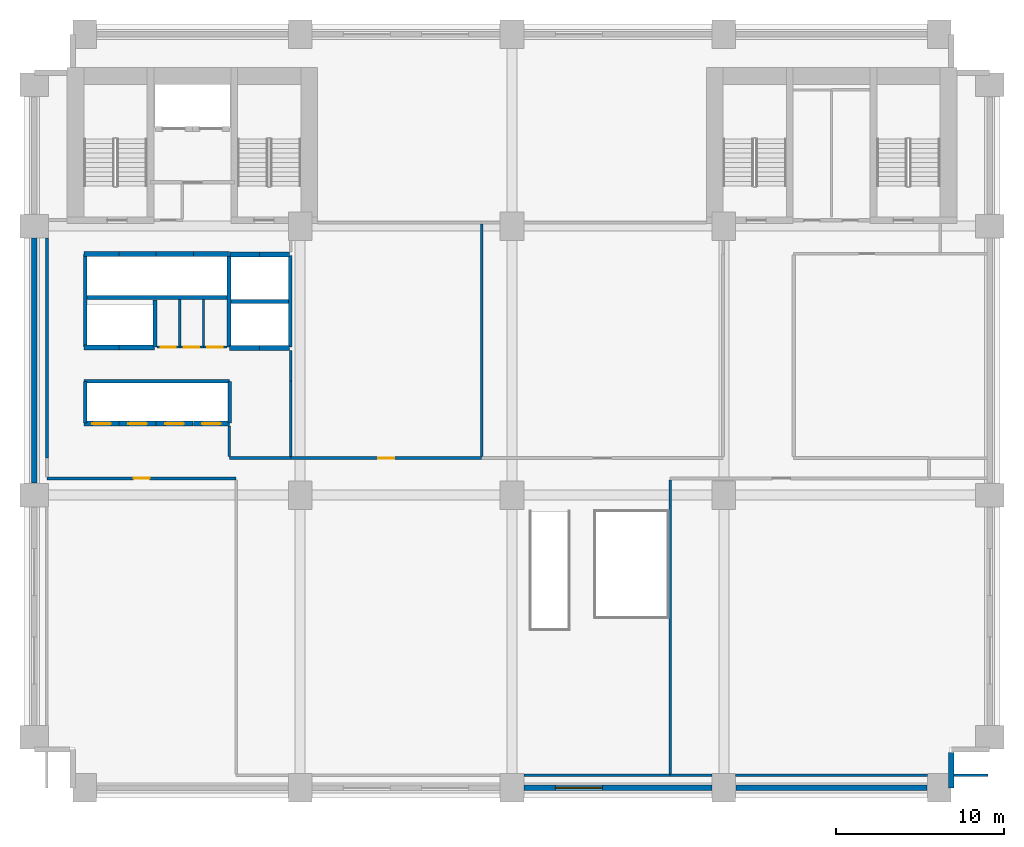
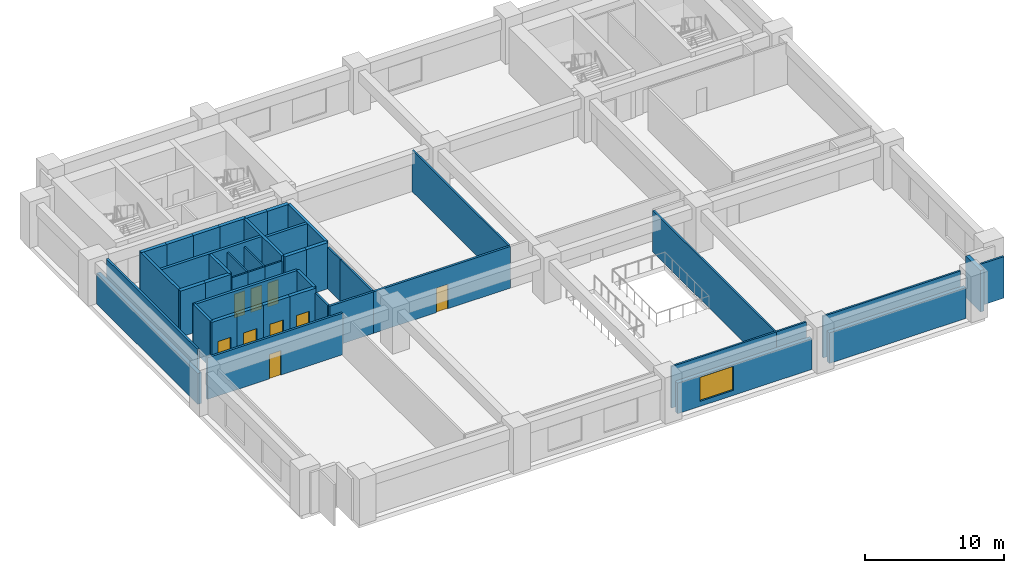
# One storey, part 2 of 7: 45 walls, 9 doors, 1 window, 10 openings.
"""IFC4 building model written with IfcOpenShell, lengths in metres."""

from ifc_helpers import new_model, si_unit, direction, frame, frame_2d, origin, place, context, subcontext, project, spatial, rectangle, extrude, material, layer, layer_set, type_object, element, fill, save


model = new_model("IFC4")

# Units and contexts
model_context = context("Model", 3, precision=1e-05, world=origin(), true_north=direction((0.0, 1.0)))
body_context = subcontext(model_context, "Body", "Model", "MODEL_VIEW")
ifc_project = project(units=[si_unit("LENGTHUNIT", "METRE"), si_unit("AREAUNIT", "SQUARE_METRE"), si_unit("VOLUMEUNIT", "CUBIC_METRE"), si_unit("PLANEANGLEUNIT", "RADIAN"), si_unit("MASSUNIT", "GRAM", prefix="KILO")], contexts=[model_context])

# Site, building, storey
site_placement = place(None, origin())
site = spatial("IfcSite", under=ifc_project, at=site_placement, CompositionType="ELEMENT")
building_placement = place(site_placement, origin())
building = spatial("IfcBuilding", under=site, at=building_placement, Name="Sulina Concourse Tower", CompositionType="ELEMENT")
storey_placement = place(building_placement, frame((0.0, 0.0, 13.5)))
storey = spatial("IfcBuildingStorey", under=building, at=storey_placement, Name="L03", CompositionType="ELEMENT", Elevation=13.5)

# Walls
ifc_material_1 = material(Name="Concrete C50/60", Category="concrete")
ifc_layer_1 = layer(ifc_material_1, 0.219970703125)
ifc_layer_set_1 = layer_set([ifc_layer_1], Name="Concrete C50/60")
wall_type_1 = type_object("IfcWallType", Name="Core Lift Hoistway Divider Wall 220mm", PredefinedType="SOLIDWALL", material=ifc_layer_set_1)
wall_1_placement = place(storey_placement, frame((3.550048828125, 29.75, 0.0), z_axis=(0.0, 0.0, 1.0), x_axis=(1.0, 0.0, 0.0)))
element("IfcWall", 1, at=wall_1_placement, inside=storey, type_object=wall_type_1, Name="L03 shaft divider wall HW-LP3-S", PredefinedType="SOLIDWALL", context=body_context, shape_type="SweptSolid", body=[
    extrude(rectangle(XDim=8.64990234375, YDim=0.219970703125, at=frame_2d((4.324951171875, 0.0))), origin(), (0.0, 0.0, 1.0), 4.050048828125),
])
wall_2_placement = place(storey_placement, frame((3.6298828125, 26.800048828125, 0.0), z_axis=(0.0, 0.0, 1.0), x_axis=(0.0, 1.0, 0.0)))
element("IfcWall", 2, at=wall_2_placement, inside=storey, type_object=wall_type_1, Name="L03 shaft divider wall HW-LP3-W", PredefinedType="SOLIDWALL", context=body_context, shape_type="SweptSolid", body=[
    extrude(rectangle(XDim=5.550048828125, YDim=0.219970703125, at=frame_2d((2.77490234375, 0.0))), origin(), (0.0, 0.0, 1.0), 4.050048828125),
])
wall_3_placement = place(storey_placement, frame((7.780029296875, 26.800048828125, 0.0), z_axis=(0.0, 0.0, 1.0), x_axis=(0.0, 1.0, 0.0)))
element("IfcWall", 3, at=wall_3_placement, inside=storey, type_object=wall_type_1, Name="L03 shaft divider wall HW-EXP-E", PredefinedType="SOLIDWALL", context=body_context, shape_type="SweptSolid", body=[
    extrude(rectangle(XDim=2.800048828125, YDim=0.219970703125, at=frame_2d((1.39990234375, 0.0))), origin(), (0.0, 0.0, 1.0), 4.050048828125),
])
for number, where, z_axis, x_axis, name in (
    (4, (12.179931640625, 26.800048828125, 0.0), (0.0, 0.0, 1.0), (0.0, 1.0, 0.0), "L03 shaft divider wall HW-LP2-W"),
    (5, (15.820068359375, 26.800048828125, 0.0), (0.0, 0.0, 1.0), (0.0, 1.0, 0.0), "L03 shaft divider wall HW-LP2-E"),
):
    element("IfcWall", number, at=place(storey_placement, frame(where, z_axis=z_axis, x_axis=x_axis)), inside=storey, type_object=wall_type_1, Name=name, PredefinedType="SOLIDWALL", context=body_context, shape_type="SweptSolid", body=[
        extrude(rectangle(XDim=5.449951171875, YDim=0.219970703125, at=frame_2d((2.72509765625, 0.0))), origin(), (0.0, 0.0, 1.0), 4.050048828125),
    ])
wall_4_placement = place(storey_placement, frame((12.300048828125, 29.52001953125, 0.0), z_axis=(0.0, 0.0, 1.0), x_axis=(1.0, 0.0, 0.0)))
element("IfcWall", 6, at=wall_4_placement, inside=storey, type_object=wall_type_1, Name="L03 shaft divider wall HW-LP2-M", PredefinedType="SOLIDWALL", context=body_context, shape_type="SweptSolid", body=[
    extrude(rectangle(XDim=3.39990234375, YDim=0.219970703125, at=frame_2d((1.699951171875, 0.0))), origin(), (0.0, 0.0, 1.0), 4.050048828125),
])
wall_5_placement = place(storey_placement, frame((3.550048828125, 24.780029296875, 0.0), z_axis=(0.0, 0.0, 1.0), x_axis=(1.0, 0.0, 0.0)))
element("IfcWall", 7, at=wall_5_placement, inside=storey, type_object=wall_type_1, Name="L03 shaft divider wall HW-LP1-N", PredefinedType="SOLIDWALL", context=body_context, shape_type="SweptSolid", body=[
    extrude(rectangle(XDim=8.64990234375, YDim=0.219970703125, at=frame_2d((4.324951171875, 0.0))), origin(), (0.0, 0.0, 1.0), 4.050048828125),
])
for number, where, z_axis, x_axis, name in (
    (8, (3.6298828125, 22.300048828125, 0.0), (0.0, 0.0, 1.0), (0.0, 1.0, 0.0), "L03 shaft divider wall HW-LP1-W"),
    (9, (12.219970703125, 22.300048828125, 0.0), (0.0, 0.0, 1.0), (0.0, 1.0, 0.0), "L03 shaft divider wall HW-LP1-E"),
):
    element("IfcWall", number, at=place(storey_placement, frame(where, z_axis=z_axis, x_axis=x_axis)), inside=storey, type_object=wall_type_1, Name=name, PredefinedType="SOLIDWALL", context=body_context, shape_type="SweptSolid", body=[
        extrude(rectangle(XDim=2.449951171875, YDim=0.219970703125, at=frame_2d((1.22509765625, 0.0))), origin(), (0.0, 0.0, 1.0), 4.050048828125),
    ])

# Wall, opening, door
ifc_material_2 = material(Name="Concrete C50/60", Category="concrete")
ifc_layer_2 = layer(ifc_material_2, 0.300048828125)
ifc_layer_set_2 = layer_set([ifc_layer_2], Name="Concrete C50/60")
wall_type_2 = type_object("IfcWallType", Name="Core Lift Hoistway Wall 300mm", PredefinedType="SOLIDWALL", material=ifc_layer_set_2)
wall_6_placement = place(storey_placement, frame((5.64990234375, 22.25, 0.0), z_axis=(0.0, 0.0, 1.0), x_axis=(-1.0, 0.0, 0.0)))
wall_6 = element("IfcWall", 10, at=wall_6_placement, inside=storey, type_object=wall_type_2, Name="L03 hoistway enclosure wall LP-01", PredefinedType="SOLIDWALL", context=body_context, shape_type="SweptSolid", body=[
    extrude(rectangle(XDim=2.099853515625, YDim=0.300048828125, at=frame_2d((1.0498046875, 0.0))), origin(), (0.0, 0.0, 1.0), 4.050048828125),
])
opening_1_placement = place(wall_6_placement, frame((0.5, 0.0, 0.0)))
opening_1 = element("IfcOpeningElement", 11, at=opening_1_placement, cuts=wall_6, Name="Opening LD-01", PredefinedType="OPENING", context=body_context, shape_type="SweptSolid", body=[
    extrude(rectangle(XDim=1.10009765625, YDim=2.199951171875, at=frame_2d((0.550048828125, 1.10009765625))), frame((0.0, 0.159912109375, 0.0), z_axis=(0.0, -1.0, 0.0), x_axis=(1.0, 0.0, 0.0)), (0.0, 0.0, 1.0), 0.320068359375),
])
ifc_material_3 = material(Name="Stainless steel lift landing door", Category="steel")
ifc_layer_3 = layer(ifc_material_3, 0.050048828125)
ifc_layer_set_3 = layer_set([ifc_layer_3], Name="Stainless steel lift landing door")
door_type_1 = type_object("IfcDoorType", Name="Passenger Lift Sliding Landing Door 1100x2200", OperationType="SLIDING_TO_LEFT", PredefinedType="DOOR", material=ifc_layer_set_3)
door_1_placement = place(opening_1_placement, origin())
door_1 = element("IfcDoor", 12, at=door_1_placement, inside=storey, type_object=door_type_1, Name="L03 lift landing sliding door LP-01", OperationType="SLIDING_TO_LEFT", OverallHeight=2.199951171875, OverallWidth=1.10009765625, PredefinedType="DOOR", context=body_context, shape_type="SweptSolid", body=[
    extrude(rectangle(XDim=1.10009765625, YDim=2.199951171875, at=frame_2d((0.550048828125, 1.10009765625))), frame((0.0, 0.02490234375, 0.0), z_axis=(0.0, -1.0, 0.0), x_axis=(1.0, 0.0, 0.0)), (0.0, 0.0, 1.0), 0.050048828125),
])
fill(opening_1, door_1)

wall_7_placement = place(storey_placement, frame((7.85009765625, 22.25, 0.0), z_axis=(0.0, 0.0, 1.0), x_axis=(-1.0, 0.0, 0.0)))
wall_7 = element("IfcWall", 13, at=wall_7_placement, inside=storey, type_object=wall_type_2, Name="L03 hoistway enclosure wall LP-02", PredefinedType="SOLIDWALL", context=body_context, shape_type="SweptSolid", body=[
    extrude(rectangle(XDim=2.2001953125, YDim=0.300048828125, at=frame_2d((1.10009765625, 0.0))), origin(), (0.0, 0.0, 1.0), 4.050048828125),
])
opening_2_placement = place(wall_7_placement, frame((0.550048828125, 0.0, 0.0)))
opening_2 = element("IfcOpeningElement", 14, at=opening_2_placement, cuts=wall_7, Name="Opening LD-01", PredefinedType="OPENING", context=body_context, shape_type="SweptSolid", body=[
    extrude(rectangle(XDim=1.10009765625, YDim=2.199951171875, at=frame_2d((0.550048828125, 1.10009765625))), frame((0.0, 0.159912109375, 0.0), z_axis=(0.0, -1.0, 0.0), x_axis=(1.0, 0.0, 0.0)), (0.0, 0.0, 1.0), 0.320068359375),
])
door_2_placement = place(opening_2_placement, origin())
door_2 = element("IfcDoor", 15, at=door_2_placement, inside=storey, type_object=door_type_1, Name="L03 lift landing sliding door LP-02", OperationType="SLIDING_TO_RIGHT", OverallHeight=2.199951171875, OverallWidth=1.10009765625, PredefinedType="DOOR", context=body_context, shape_type="SweptSolid", body=[
    extrude(rectangle(XDim=1.10009765625, YDim=2.199951171875, at=frame_2d((0.550048828125, 1.10009765625))), frame((0.0, 0.02490234375, 0.0), z_axis=(0.0, -1.0, 0.0), x_axis=(1.0, 0.0, 0.0)), (0.0, 0.0, 1.0), 0.050048828125),
])
fill(opening_2, door_2)

wall_8_placement = place(storey_placement, frame((10.050048828125, 22.25, 0.0), z_axis=(0.0, 0.0, 1.0), x_axis=(-1.0, 0.0, 0.0)))
wall_8 = element("IfcWall", 16, at=wall_8_placement, inside=storey, type_object=wall_type_2, Name="L03 hoistway enclosure wall LP-03", PredefinedType="SOLIDWALL", context=body_context, shape_type="SweptSolid", body=[
    extrude(rectangle(XDim=2.199951171875, YDim=0.300048828125, at=frame_2d((1.10009765625, 0.0))), origin(), (0.0, 0.0, 1.0), 4.050048828125),
])
opening_3_placement = place(wall_8_placement, frame((0.550048828125, 0.0, 0.0)))
opening_3 = element("IfcOpeningElement", 17, at=opening_3_placement, cuts=wall_8, Name="Opening LD-01", PredefinedType="OPENING", context=body_context, shape_type="SweptSolid", body=[
    extrude(rectangle(XDim=1.10009765625, YDim=2.199951171875, at=frame_2d((0.550048828125, 1.10009765625))), frame((0.0, 0.159912109375, 0.0), z_axis=(0.0, -1.0, 0.0), x_axis=(1.0, 0.0, 0.0)), (0.0, 0.0, 1.0), 0.320068359375),
])
door_3_placement = place(opening_3_placement, origin())
door_3 = element("IfcDoor", 18, at=door_3_placement, inside=storey, type_object=door_type_1, Name="L03 lift landing sliding door LP-03", OperationType="SLIDING_TO_LEFT", OverallHeight=2.199951171875, OverallWidth=1.10009765625, PredefinedType="DOOR", context=body_context, shape_type="SweptSolid", body=[
    extrude(rectangle(XDim=1.10009765625, YDim=2.199951171875, at=frame_2d((0.550048828125, 1.10009765625))), frame((0.0, 0.02490234375, 0.0), z_axis=(0.0, -1.0, 0.0), x_axis=(1.0, 0.0, 0.0)), (0.0, 0.0, 1.0), 0.050048828125),
])
fill(opening_3, door_3)

wall_9_placement = place(storey_placement, frame((12.199951171875, 22.25, 0.0), z_axis=(0.0, 0.0, 1.0), x_axis=(-1.0, 0.0, 0.0)))
wall_9 = element("IfcWall", 19, at=wall_9_placement, inside=storey, type_object=wall_type_2, Name="L03 hoistway enclosure wall LP-04", PredefinedType="SOLIDWALL", context=body_context, shape_type="SweptSolid", body=[
    extrude(rectangle(XDim=2.14990234375, YDim=0.300048828125, at=frame_2d((1.074951171875, 0.0))), origin(), (0.0, 0.0, 1.0), 4.050048828125),
])
opening_4_placement = place(wall_9_placement, frame((0.52490234375, 0.0, 0.0)))
opening_4 = element("IfcOpeningElement", 20, at=opening_4_placement, cuts=wall_9, Name="Opening LD-01", PredefinedType="OPENING", context=body_context, shape_type="SweptSolid", body=[
    extrude(rectangle(XDim=1.10009765625, YDim=2.199951171875, at=frame_2d((0.550048828125, 1.10009765625))), frame((0.0, 0.159912109375, 0.0), z_axis=(0.0, -1.0, 0.0), x_axis=(1.0, 0.0, 0.0)), (0.0, 0.0, 1.0), 0.320068359375),
])
door_4_placement = place(opening_4_placement, origin())
door_4 = element("IfcDoor", 21, at=door_4_placement, inside=storey, type_object=door_type_1, Name="L03 lift landing sliding door LP-04", OperationType="SLIDING_TO_RIGHT", OverallHeight=2.199951171875, OverallWidth=1.10009765625, PredefinedType="DOOR", context=body_context, shape_type="SweptSolid", body=[
    extrude(rectangle(XDim=1.10009765625, YDim=2.199951171875, at=frame_2d((0.550048828125, 1.10009765625))), frame((0.0, 0.02490234375, 0.0), z_axis=(0.0, -1.0, 0.0), x_axis=(1.0, 0.0, 0.0)), (0.0, 0.0, 1.0), 0.050048828125),
])
fill(opening_4, door_4)

# Walls
for number, where, z_axis, x_axis, name in (
    (22, (14.0, 26.75, 0.0), (0.0, 0.0, 1.0), (-1.0, 0.0, 0.0), "L03 hoistway enclosure wall LP-05"),
    (23, (15.780029296875, 26.75, 0.0), (0.0, 0.0, 1.0), (-1.0, 0.0, 0.0), "L03 hoistway enclosure wall LP-06"),
    (24, (12.219970703125, 32.320068359375, 0.0), (0.0, 0.0, 1.0), (1.0, 0.0, 0.0), "L03 hoistway enclosure wall LP-07"),
    (25, (14.0, 32.320068359375, 0.0), (0.0, 0.0, 1.0), (1.0, 0.0, 0.0), "L03 hoistway enclosure wall LP-08"),
):
    element("IfcWall", number, at=place(storey_placement, frame(where, z_axis=z_axis, x_axis=x_axis)), inside=storey, type_object=wall_type_2, Name=name, PredefinedType="SOLIDWALL", context=body_context, shape_type="SweptSolid", body=[
        extrude(rectangle(XDim=1.780029296875, YDim=0.300048828125, at=frame_2d((0.89013671875, 0.0))), origin(), (0.0, 0.0, 1.0), 4.050048828125),
    ])
wall_10_placement = place(storey_placement, frame((3.550048828125, 32.35009765625, 0.0), z_axis=(0.0, 0.0, 1.0), x_axis=(1.0, 0.0, 0.0)))
element("IfcWall", 26, at=wall_10_placement, inside=storey, type_object=wall_type_2, Name="L03 hoistway enclosure wall LP-09", PredefinedType="SOLIDWALL", context=body_context, shape_type="SweptSolid", body=[
    extrude(rectangle(XDim=2.099853515625, YDim=0.300048828125, at=frame_2d((1.0498046875, 0.0))), origin(), (0.0, 0.0, 1.0), 4.050048828125),
])
wall_11_placement = place(storey_placement, frame((5.64990234375, 32.35009765625, 0.0), z_axis=(0.0, 0.0, 1.0), x_axis=(1.0, 0.0, 0.0)))
element("IfcWall", 27, at=wall_11_placement, inside=storey, type_object=wall_type_2, Name="L03 hoistway enclosure wall LP-10", PredefinedType="SOLIDWALL", context=body_context, shape_type="SweptSolid", body=[
    extrude(rectangle(XDim=2.2001953125, YDim=0.300048828125, at=frame_2d((1.10009765625, 0.0))), origin(), (0.0, 0.0, 1.0), 4.050048828125),
])
wall_12_placement = place(storey_placement, frame((7.85009765625, 32.35009765625, 0.0), z_axis=(0.0, 0.0, 1.0), x_axis=(1.0, 0.0, 0.0)))
element("IfcWall", 28, at=wall_12_placement, inside=storey, type_object=wall_type_2, Name="L03 hoistway enclosure wall LP-11", PredefinedType="SOLIDWALL", context=body_context, shape_type="SweptSolid", body=[
    extrude(rectangle(XDim=2.199951171875, YDim=0.300048828125, at=frame_2d((1.10009765625, 0.0))), origin(), (0.0, 0.0, 1.0), 4.050048828125),
])
wall_13_placement = place(storey_placement, frame((10.050048828125, 32.35009765625, 0.0), z_axis=(0.0, 0.0, 1.0), x_axis=(1.0, 0.0, 0.0)))
element("IfcWall", 29, at=wall_13_placement, inside=storey, type_object=wall_type_2, Name="L03 hoistway enclosure wall LP-12", PredefinedType="SOLIDWALL", context=body_context, shape_type="SweptSolid", body=[
    extrude(rectangle(XDim=2.14990234375, YDim=0.300048828125, at=frame_2d((1.074951171875, 0.0))), origin(), (0.0, 0.0, 1.0), 4.050048828125),
])
wall_14_placement = place(storey_placement, frame((5.64990234375, 26.780029296875, 0.0), z_axis=(0.0, 0.0, 1.0), x_axis=(-1.0, 0.0, 0.0)))
element("IfcWall", 30, at=wall_14_placement, inside=storey, type_object=wall_type_2, Name="L03 hoistway enclosure wall EXP-1", PredefinedType="SOLIDWALL", context=body_context, shape_type="SweptSolid", body=[
    extrude(rectangle(XDim=2.099853515625, YDim=0.300048828125, at=frame_2d((1.0498046875, 0.0))), origin(), (0.0, 0.0, 1.0), 4.050048828125),
])
wall_15_placement = place(storey_placement, frame((7.75, 26.780029296875, 0.0), z_axis=(0.0, 0.0, 1.0), x_axis=(-1.0, 0.0, 0.0)))
element("IfcWall", 31, at=wall_15_placement, inside=storey, type_object=wall_type_2, Name="L03 hoistway enclosure wall EXP-2", PredefinedType="SOLIDWALL", context=body_context, shape_type="SweptSolid", body=[
    extrude(rectangle(XDim=2.10009765625, YDim=0.300048828125, at=frame_2d((1.050048828125, 0.0))), origin(), (0.0, 0.0, 1.0), 4.050048828125),
])
ifc_material_4 = material(Name="Gypsum board on steel stud", Category="steel")
ifc_layer_4 = layer(ifc_material_4, 0.14990234375)
ifc_layer_set_4 = layer_set([ifc_layer_4], Name="Gypsum board on steel stud")
wall_type_3 = type_object("IfcWallType", Name="Inter-Tenancy Acoustic Partition 150mm", PredefinedType="PARTITIONING", material=ifc_layer_set_4)
wall_16_placement = place(storey_placement, frame((29.699951171875, 1.35009765625, 0.0), z_axis=(0.0, 0.0, 1.0), x_axis=(1.0, 0.0, 0.0)))
element("IfcWall", 32, at=wall_16_placement, inside=storey, type_object=wall_type_3, Name="L03 interior partition 003", PredefinedType="PARTITIONING", context=body_context, shape_type="SweptSolid", body=[
    extrude(rectangle(XDim=8.699951171875, YDim=0.14990234375, at=frame_2d((4.35009765625, 0.0))), origin(), (0.0, 0.0, 1.0), 3.64990234375),
])
wall_17_placement = place(storey_placement, frame((38.39990234375, 1.35009765625, 0.0), z_axis=(0.0, 0.0, 1.0), x_axis=(1.0, 0.0, 0.0)))
element("IfcWall", 33, at=wall_17_placement, inside=storey, type_object=wall_type_3, Name="L03 interior partition 004", PredefinedType="PARTITIONING", context=body_context, shape_type="SweptSolid", body=[
    extrude(rectangle(XDim=2.5, YDim=0.14990234375, at=frame_2d((1.25, 0.0))), origin(), (0.0, 0.0, 1.0), 3.64990234375),
])
wall_18_placement = place(storey_placement, frame((42.300048828125, 1.35009765625, 0.0), z_axis=(0.0, 0.0, 1.0), x_axis=(1.0, 0.0, 0.0)))
element("IfcWall", 34, at=wall_18_placement, inside=storey, type_object=wall_type_3, Name="L03 interior partition 005", PredefinedType="PARTITIONING", context=body_context, shape_type="SweptSolid", body=[
    extrude(rectangle(XDim=11.39990234375, YDim=0.14990234375, at=frame_2d((5.699951171875, 0.0))), origin(), (0.0, 0.0, 1.0), 3.64990234375),
])
wall_19_placement = place(storey_placement, frame((55.280029296875, 1.35009765625, 0.0), z_axis=(0.0, 0.0, 1.0), x_axis=(1.0, 0.0, 0.0)))
element("IfcWall", 35, at=wall_19_placement, inside=storey, type_object=wall_type_3, Name="L03 interior partition 006", PredefinedType="PARTITIONING", context=body_context, shape_type="SweptSolid", body=[
    extrude(rectangle(XDim=2.02001953125, YDim=0.14990234375, at=frame_2d((1.010009765625, 0.0))), origin(), (0.0, 0.0, 1.0), 3.64990234375),
])
wall_20_placement = place(storey_placement, frame((12.199951171875, 20.2900390625, 0.0), z_axis=(0.0, 0.0, 1.0), x_axis=(0.0, 1.0, 0.0)))
element("IfcWall", 36, at=wall_20_placement, inside=storey, type_object=wall_type_3, Name="L03 interior partition 034", PredefinedType="PARTITIONING", context=body_context, shape_type="SweptSolid", body=[
    extrude(rectangle(XDim=1.81005859375, YDim=0.14990234375, at=frame_2d((0.905029296875, 0.0))), origin(), (0.0, 0.0, 1.0), 3.64990234375),
])
wall_21_placement = place(storey_placement, frame((15.85009765625, 20.2900390625, 0.0), z_axis=(0.0, 0.0, 1.0), x_axis=(0.0, 1.0, 0.0)))
element("IfcWall", 37, at=wall_21_placement, inside=storey, type_object=wall_type_3, Name="L03 interior partition 036", PredefinedType="PARTITIONING", context=body_context, shape_type="SweptSolid", body=[
    extrude(rectangle(XDim=4.510009765625, YDim=0.14990234375, at=frame_2d((2.2548828125, 0.0))), origin(), (0.0, 0.0, 1.0), 3.64990234375),
])
wall_22_placement = place(storey_placement, frame((15.85009765625, 24.800048828125, 0.0), z_axis=(0.0, 0.0, 1.0), x_axis=(0.0, 1.0, 0.0)))
element("IfcWall", 38, at=wall_22_placement, inside=storey, type_object=wall_type_3, Name="L03 interior partition 037", PredefinedType="PARTITIONING", context=body_context, shape_type="SweptSolid", body=[
    extrude(rectangle(XDim=1.800048828125, YDim=0.14990234375, at=frame_2d((0.89990234375, 0.0))), origin(), (0.0, 0.0, 1.0), 3.64990234375),
])
wall_23_placement = place(storey_placement, frame((27.199951171875, 20.2900390625, 0.0), z_axis=(0.0, 0.0, 1.0), x_axis=(0.0, 1.0, 0.0)))
element("IfcWall", 39, at=wall_23_placement, inside=storey, type_object=wall_type_3, Name="L03 interior partition 039", PredefinedType="PARTITIONING", context=body_context, shape_type="SweptSolid", body=[
    extrude(rectangle(XDim=13.8349609375, YDim=0.14990234375, at=frame_2d((6.91748046875, 0.0))), origin(), (0.0, 0.0, 1.0), 3.64990234375),
])
wall_24_placement = place(storey_placement, frame((38.39990234375, 1.425048828125, 0.0), z_axis=(0.0, 0.0, 1.0), x_axis=(0.0, 1.0, 0.0)))
element("IfcWall", 40, at=wall_24_placement, inside=storey, type_object=wall_type_3, Name="L03 interior partition 040", PredefinedType="PARTITIONING", context=body_context, shape_type="SweptSolid", body=[
    extrude(rectangle(XDim=17.48486328125, YDim=0.14990234375, at=frame_2d((8.742431640625, 0.0))), origin(), (0.0, 0.0, 1.0), 3.64990234375),
])

# Wall, opening, window
ifc_material_5 = material(Name="Precast concrete C50/60", Category="concrete")
ifc_layer_5 = layer(ifc_material_5, 0.320068359375)
ifc_layer_set_5 = layer_set([ifc_layer_5], Name="Precast concrete C50/60")
wall_type_4 = type_object("IfcWallType", Name="Lower Precast Masonry-Frame Facade Wall 320mm", PredefinedType="SOLIDWALL", material=ifc_layer_set_5)
wall_25_placement = place(storey_placement, frame((40.8798828125, 0.60009765625, 0.0), z_axis=(0.0, 0.0, 1.0), x_axis=(-1.0, 0.0, 0.0)))
wall_25 = element("IfcWall", 41, at=wall_25_placement, inside=storey, type_object=wall_type_4, Name="L03 exterior precast wall S3", PredefinedType="SOLIDWALL", context=body_context, shape_type="SweptSolid", body=[
    extrude(rectangle(XDim=11.159912109375, YDim=0.320068359375, at=frame_2d((5.580078125, 0.0))), origin(), (0.0, 0.0, 1.0), 2.699951171875),
])
opening_5_placement = place(wall_25_placement, frame((6.506591796875, 0.0, 0.449951171875)))
opening_5 = element("IfcOpeningElement", 42, at=opening_5_placement, cuts=wall_25, Name="Opening WN-83", PredefinedType="OPENING", context=body_context, shape_type="SweptSolid", body=[
    extrude(rectangle(XDim=2.800048828125, YDim=2.10009765625, at=frame_2d((1.39990234375, 1.050048828125))), frame((0.0, 0.169921875, 0.0), z_axis=(0.0, -1.0, 0.0), x_axis=(1.0, 0.0, 0.0)), (0.0, 0.0, 1.0), 0.340087890625),
])
ifc_material_6 = material(Name="Low-E solar double glazing in bronze aluminium", Category="aluminium")
window_type = type_object("IfcWindowType", Name="Station Podium Clerestory Window 2800x2100", PartitioningType="TRIPLE_PANEL_VERTICAL", PredefinedType="WINDOW", material=ifc_material_6)
window_placement = place(opening_5_placement, origin())
window = element("IfcWindow", 43, at=window_placement, inside=storey, type_object=window_type, Name="L03 punched window S3-1", OverallHeight=2.10009765625, OverallWidth=2.800048828125, PartitioningType="SINGLE_PANEL", PredefinedType="WINDOW", context=body_context, shape_type="SweptSolid", body=[
    extrude(rectangle(XDim=2.800048828125, YDim=2.10009765625, at=frame_2d((1.39990234375, 1.050048828125))), frame((0.0, 0.030029296875, 0.0), z_axis=(0.0, -1.0, 0.0), x_axis=(1.0, 0.0, 0.0)), (0.0, 0.0, 1.0), 0.06005859375),
])
fill(opening_5, window)

# Walls
wall_26_placement = place(storey_placement, frame((53.679931640625, 0.60009765625, 0.0), z_axis=(0.0, 0.0, 1.0), x_axis=(-1.0, 0.0, 0.0)))
element("IfcWall", 44, at=wall_26_placement, inside=storey, type_object=wall_type_4, Name="L03 exterior precast wall S4", PredefinedType="SOLIDWALL", context=body_context, shape_type="SweptSolid", body=[
    extrude(rectangle(XDim=11.35986328125, YDim=0.320068359375, at=frame_2d((5.679931640625, 0.0))), origin(), (0.0, 0.0, 1.0), 2.699951171875),
])
wall_27_placement = place(storey_placement, frame((0.60009765625, 18.719970703125, 0.0), z_axis=(0.0, 0.0, 1.0), x_axis=(0.0, 1.0, 0.0)))
element("IfcWall", 45, at=wall_27_placement, inside=storey, type_object=wall_type_4, Name="L03 exterior precast wall W2", PredefinedType="SOLIDWALL", context=body_context, shape_type="SweptSolid", body=[
    extrude(rectangle(XDim=14.56005859375, YDim=0.320068359375, at=frame_2d((7.280029296875, 0.0))), origin(), (0.0, 0.0, 1.0), 2.699951171875),
])
wall_28_placement = place(storey_placement, frame((55.1201171875, 2.715087890625, 0.0), z_axis=(0.0, 0.0, 1.0), x_axis=(0.0, -1.0, 0.0)))
element("IfcWall", 46, at=wall_28_placement, inside=storey, type_object=wall_type_4, Name="L03 exterior precast wall CSE2", PredefinedType="SOLIDWALL", context=body_context, shape_type="SweptSolid", body=[
    extrude(rectangle(XDim=2.114990234375, YDim=0.320068359375, at=frame_2d((1.0576171875, 0.0))), origin(), (0.0, 0.0, 1.0), 3.64990234375),
])

# Wall, opening, door
ifc_material_7 = material(Name="Gypsum board on steel stud", Category="steel")
ifc_layer_6 = layer(ifc_material_7, 0.179931640625)
ifc_layer_set_6 = layer_set([ifc_layer_6], Name="Gypsum board on steel stud")
wall_type_5 = type_object("IfcWallType", Name="Protected Corridor & Riser Partition 180mm", PredefinedType="PARTITIONING", material=ifc_layer_set_6)
wall_29_placement = place(storey_placement, frame((1.35009765625, 19.0, 0.0), z_axis=(0.0, 0.0, 1.0), x_axis=(1.0, 0.0, 0.0)))
wall_29 = element("IfcWall", 47, at=wall_29_placement, inside=storey, type_object=wall_type_5, Name="L03 interior partition 007", PredefinedType="PARTITIONING", context=body_context, shape_type="SweptSolid", body=[
    extrude(rectangle(XDim=11.25, YDim=0.179931640625, at=frame_2d((5.625, 0.0))), origin(), (0.0, 0.0, 1.0), 3.64990234375),
])
opening_6_placement = place(wall_29_placement, frame((5.14990234375, 0.0, 0.0)))
opening_6 = element("IfcOpeningElement", 48, at=opening_6_placement, cuts=wall_29, Name="Opening DR-19", PredefinedType="OPENING", context=body_context, shape_type="SweptSolid", body=[
    extrude(rectangle(XDim=0.949951171875, YDim=2.14990234375, at=frame_2d((0.47509765625, 1.074951171875))), frame((0.0, 0.099853515625, 0.0), z_axis=(0.0, -1.0, 0.0), x_axis=(1.0, 0.0, 0.0)), (0.0, 0.0, 1.0), 0.199951171875),
])
ifc_material_8 = material(Name="Oak-veneered acoustic timber leaf", Category="wood")
ifc_layer_7 = layer(ifc_material_8, 0.050048828125)
ifc_layer_set_7 = layer_set([ifc_layer_7], Name="Oak-veneered acoustic timber leaf")
door_type_2 = type_object("IfcDoorType", Name="Cellular Office & Meeting Door 950x2150", OperationType="NOTDEFINED", PredefinedType="DOOR", material=ifc_layer_set_7)
door_5_placement = place(opening_6_placement, origin())
door_5 = element("IfcDoor", 49, at=door_5_placement, inside=storey, type_object=door_type_2, Name="L03 interior door L03-RET-W1", OperationType="SINGLE_SWING_RIGHT", OverallHeight=2.14990234375, OverallWidth=0.949951171875, PredefinedType="DOOR", context=body_context, shape_type="SweptSolid", body=[
    extrude(rectangle(XDim=0.949951171875, YDim=2.14990234375, at=frame_2d((0.47509765625, 1.074951171875))), frame((0.0, 0.02490234375, 0.0), z_axis=(0.0, -1.0, 0.0), x_axis=(1.0, 0.0, 0.0)), (0.0, 0.0, 1.0), 0.050048828125),
])
fill(opening_6, door_5)

# Wall
wall_30_placement = place(storey_placement, frame((12.199951171875, 20.199951171875, 0.0), z_axis=(0.0, 0.0, 1.0), x_axis=(1.0, 0.0, 0.0)))
element("IfcWall", 50, at=wall_30_placement, inside=storey, type_object=wall_type_5, Name="L03 interior partition 010", PredefinedType="PARTITIONING", context=body_context, shape_type="SweptSolid", body=[
    extrude(rectangle(XDim=3.650146484375, YDim=0.179931640625, at=frame_2d((1.8251953125, 0.0))), origin(), (0.0, 0.0, 1.0), 3.64990234375),
])

# Wall, opening, door
wall_31_placement = place(storey_placement, frame((15.85009765625, 20.199951171875, 0.0), z_axis=(0.0, 0.0, 1.0), x_axis=(1.0, 0.0, 0.0)))
wall_31 = element("IfcWall", 51, at=wall_31_placement, inside=storey, type_object=wall_type_5, Name="L03 interior partition 011", PredefinedType="PARTITIONING", context=body_context, shape_type="SweptSolid", body=[
    extrude(rectangle(XDim=11.349853515625, YDim=0.179931640625, at=frame_2d((5.6748046875, 0.0))), origin(), (0.0, 0.0, 1.0), 3.64990234375),
])
opening_7_placement = place(wall_31_placement, frame((5.199951171875, 0.0, 0.0)))
opening_7 = element("IfcOpeningElement", 52, at=opening_7_placement, cuts=wall_31, Name="Opening DR-19", PredefinedType="OPENING", context=body_context, shape_type="SweptSolid", body=[
    extrude(rectangle(XDim=0.949951171875, YDim=2.14990234375, at=frame_2d((0.47509765625, 1.074951171875))), frame((0.0, 0.099853515625, 0.0), z_axis=(0.0, -1.0, 0.0), x_axis=(1.0, 0.0, 0.0)), (0.0, 0.0, 1.0), 0.199951171875),
])
door_6_placement = place(opening_7_placement, origin())
door_6 = element("IfcDoor", 53, at=door_6_placement, inside=storey, type_object=door_type_2, Name="L03 interior door L03-OFF-ST1", OperationType="SINGLE_SWING_RIGHT", OverallHeight=2.14990234375, OverallWidth=0.949951171875, PredefinedType="DOOR", context=body_context, shape_type="SweptSolid", body=[
    extrude(rectangle(XDim=0.949951171875, YDim=2.14990234375, at=frame_2d((0.47509765625, 1.074951171875))), frame((0.0, 0.02490234375, 0.0), z_axis=(0.0, -1.0, 0.0), x_axis=(1.0, 0.0, 0.0)), (0.0, 0.0, 1.0), 0.050048828125),
])
fill(opening_7, door_6)

# Wall
wall_32_placement = place(storey_placement, frame((1.35009765625, 20.199951171875, 0.0), z_axis=(0.0, 0.0, 1.0), x_axis=(0.0, 1.0, 0.0)))
element("IfcWall", 54, at=wall_32_placement, inside=storey, type_object=wall_type_5, Name="L03 interior partition 030", PredefinedType="PARTITIONING", context=body_context, shape_type="SweptSolid", body=[
    extrude(rectangle(XDim=13.10009765625, YDim=0.179931640625, at=frame_2d((6.550048828125, 0.0))), origin(), (0.0, 0.0, 1.0), 3.64990234375),
])

# Wall, opening, door
ifc_material_9 = material(Name="Gypsum board on steel stud", Category="steel")
ifc_layer_8 = layer(ifc_material_9, 0.125)
ifc_layer_set_8 = layer_set([ifc_layer_8], Name="Gypsum board on steel stud")
wall_type_6 = type_object("IfcWallType", Name="Wet-Area Moisture-Resistant Partition 125mm", PredefinedType="PARTITIONING", material=ifc_layer_set_8)
wall_33_placement = place(storey_placement, frame((7.889892578125, 26.800048828125, 0.0), z_axis=(0.0, 0.0, 1.0), x_axis=(1.0, 0.0, 0.0)))
wall_33 = element("IfcWall", 55, at=wall_33_placement, inside=storey, type_object=wall_type_6, Name="L03 interior partition 015", PredefinedType="PARTITIONING", context=body_context, shape_type="SweptSolid", body=[
    extrude(rectangle(XDim=1.360107421875, YDim=0.125, at=frame_2d((0.68017578125, 0.0))), origin(), (0.0, 0.0, 1.0), 3.64990234375),
])
opening_8_placement = place(wall_33_placement, frame((0.22998046875, 0.0, 0.0)))
opening_8 = element("IfcOpeningElement", 56, at=opening_8_placement, cuts=wall_33, Name="Opening DR-21", PredefinedType="OPENING", context=body_context, shape_type="SweptSolid", body=[
    extrude(rectangle(XDim=0.89990234375, YDim=2.10009765625, at=frame_2d((0.449951171875, 1.050048828125))), frame((0.0, 0.072509765625, 0.0), z_axis=(0.0, -1.0, 0.0), x_axis=(1.0, 0.0, 0.0)), (0.0, 0.0, 1.0), 0.14501953125),
])
ifc_material_10 = material(Name="Oak-veneered fire door leaf")
ifc_layer_9 = layer(ifc_material_10, 0.050048828125)
ifc_layer_set_9 = layer_set([ifc_layer_9], Name="Oak-veneered fire door leaf")
door_type_3 = type_object("IfcDoorType", Name="Restroom & Service Door 900x2100", OperationType="NOTDEFINED", PredefinedType="DOOR", material=ifc_layer_set_9)
door_7_placement = place(opening_8_placement, origin())
door_7 = element("IfcDoor", 57, at=door_7_placement, inside=storey, type_object=door_type_3, Name="L03 interior door L03-WC-M", OperationType="SINGLE_SWING_LEFT", OverallHeight=2.10009765625, OverallWidth=0.89990234375, PredefinedType="DOOR", context=body_context, shape_type="SweptSolid", body=[
    extrude(rectangle(XDim=0.89990234375, YDim=2.10009765625, at=frame_2d((0.449951171875, 1.050048828125))), frame((0.0, 0.02490234375, 0.0), z_axis=(0.0, -1.0, 0.0), x_axis=(1.0, 0.0, 0.0)), (0.0, 0.0, 1.0), 0.050048828125),
])
fill(opening_8, door_7)

wall_34_placement = place(storey_placement, frame((9.25, 26.800048828125, 0.0), z_axis=(0.0, 0.0, 1.0), x_axis=(1.0, 0.0, 0.0)))
wall_34 = element("IfcWall", 58, at=wall_34_placement, inside=storey, type_object=wall_type_6, Name="L03 interior partition 016", PredefinedType="PARTITIONING", context=body_context, shape_type="SweptSolid", body=[
    extrude(rectangle(XDim=1.39990234375, YDim=0.125, at=frame_2d((0.699951171875, 0.0))), origin(), (0.0, 0.0, 1.0), 3.64990234375),
])
opening_9_placement = place(wall_34_placement, frame((0.25, 0.0, 0.0)))
opening_9 = element("IfcOpeningElement", 59, at=opening_9_placement, cuts=wall_34, Name="Opening DR-21", PredefinedType="OPENING", context=body_context, shape_type="SweptSolid", body=[
    extrude(rectangle(XDim=0.89990234375, YDim=2.10009765625, at=frame_2d((0.449951171875, 1.050048828125))), frame((0.0, 0.072509765625, 0.0), z_axis=(0.0, -1.0, 0.0), x_axis=(1.0, 0.0, 0.0)), (0.0, 0.0, 1.0), 0.14501953125),
])
door_8_placement = place(opening_9_placement, origin())
door_8 = element("IfcDoor", 60, at=door_8_placement, inside=storey, type_object=door_type_3, Name="L03 interior door L03-WC-F", OperationType="SINGLE_SWING_RIGHT", OverallHeight=2.10009765625, OverallWidth=0.89990234375, PredefinedType="DOOR", context=body_context, shape_type="SweptSolid", body=[
    extrude(rectangle(XDim=0.89990234375, YDim=2.10009765625, at=frame_2d((0.449951171875, 1.050048828125))), frame((0.0, 0.02490234375, 0.0), z_axis=(0.0, -1.0, 0.0), x_axis=(1.0, 0.0, 0.0)), (0.0, 0.0, 1.0), 0.050048828125),
])
fill(opening_9, door_8)

wall_35_placement = place(storey_placement, frame((10.64990234375, 26.800048828125, 0.0), z_axis=(0.0, 0.0, 1.0), x_axis=(1.0, 0.0, 0.0)))
wall_35 = element("IfcWall", 61, at=wall_35_placement, inside=storey, type_object=wall_type_6, Name="L03 interior partition 017", PredefinedType="PARTITIONING", context=body_context, shape_type="SweptSolid", body=[
    extrude(rectangle(XDim=1.400146484375, YDim=0.125, at=frame_2d((0.7001953125, 0.0))), origin(), (0.0, 0.0, 1.0), 3.64990234375),
])
opening_10_placement = place(wall_35_placement, frame((0.239990234375, 0.0, 0.0)))
opening_10 = element("IfcOpeningElement", 62, at=opening_10_placement, cuts=wall_35, Name="Opening DR-61", PredefinedType="OPENING", context=body_context, shape_type="SweptSolid", body=[
    extrude(rectangle(XDim=0.919921875, YDim=2.10009765625, at=frame_2d((0.4599609375, 1.050048828125))), frame((0.0, 0.072509765625, 0.0), z_axis=(0.0, -1.0, 0.0), x_axis=(1.0, 0.0, 0.0)), (0.0, 0.0, 1.0), 0.14501953125),
])
ifc_material_11 = material(Name="Oak-veneered fire door leaf")
ifc_layer_10 = layer(ifc_material_11, 0.050048828125)
ifc_layer_set_10 = layer_set([ifc_layer_10], Name="Oak-veneered fire door leaf")
door_type_4 = type_object("IfcDoorType", Name="Accessible WC Door 920x2100", OperationType="NOTDEFINED", PredefinedType="DOOR", material=ifc_layer_set_10)
door_9_placement = place(opening_10_placement, origin())
door_9 = element("IfcDoor", 63, at=door_9_placement, inside=storey, type_object=door_type_4, Name="L03 interior door L03-WC-ACC", OperationType="SINGLE_SWING_LEFT", OverallHeight=2.10009765625, OverallWidth=0.919921875, PredefinedType="DOOR", context=body_context, shape_type="SweptSolid", body=[
    extrude(rectangle(XDim=0.919921875, YDim=2.10009765625, at=frame_2d((0.4599609375, 1.050048828125))), frame((0.0, 0.02490234375, 0.0), z_axis=(0.0, -1.0, 0.0), x_axis=(1.0, 0.0, 0.0)), (0.0, 0.0, 1.0), 0.050048828125),
])
fill(opening_10, door_9)

# Walls
for number, where, z_axis, x_axis, name in (
    (64, (9.25, 26.862548828125, 0.0), (0.0, 0.0, 1.0), (0.0, 1.0, 0.0), "L03 interior partition 031"),
    (65, (10.64990234375, 26.862548828125, 0.0), (0.0, 0.0, 1.0), (0.0, 1.0, 0.0), "L03 interior partition 033"),
):
    element("IfcWall", number, at=place(storey_placement, frame(where, z_axis=z_axis, x_axis=x_axis)), inside=storey, type_object=wall_type_6, Name=name, PredefinedType="PARTITIONING", context=body_context, shape_type="SweptSolid", body=[
        extrude(rectangle(XDim=2.77734375, YDim=0.125, at=frame_2d((1.388671875, 0.0))), origin(), (0.0, 0.0, 1.0), 3.64990234375),
    ])

save(model, "model.ifc")
